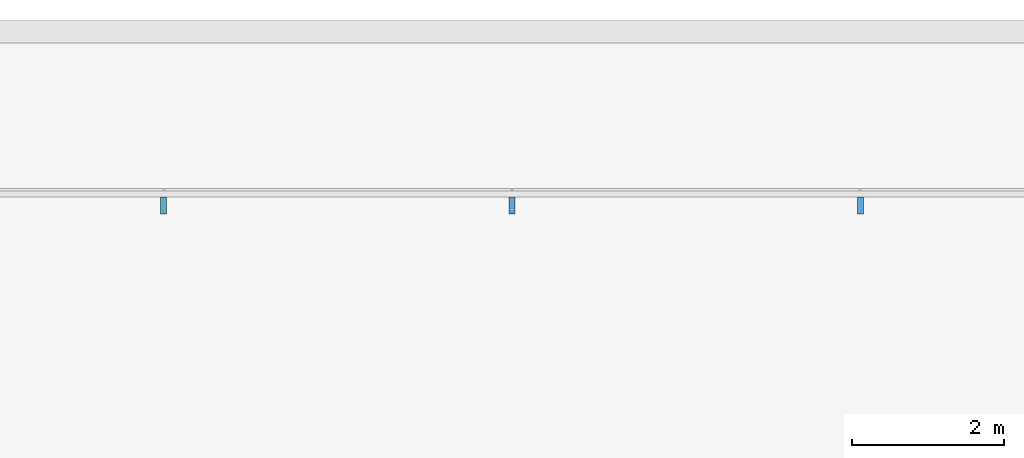
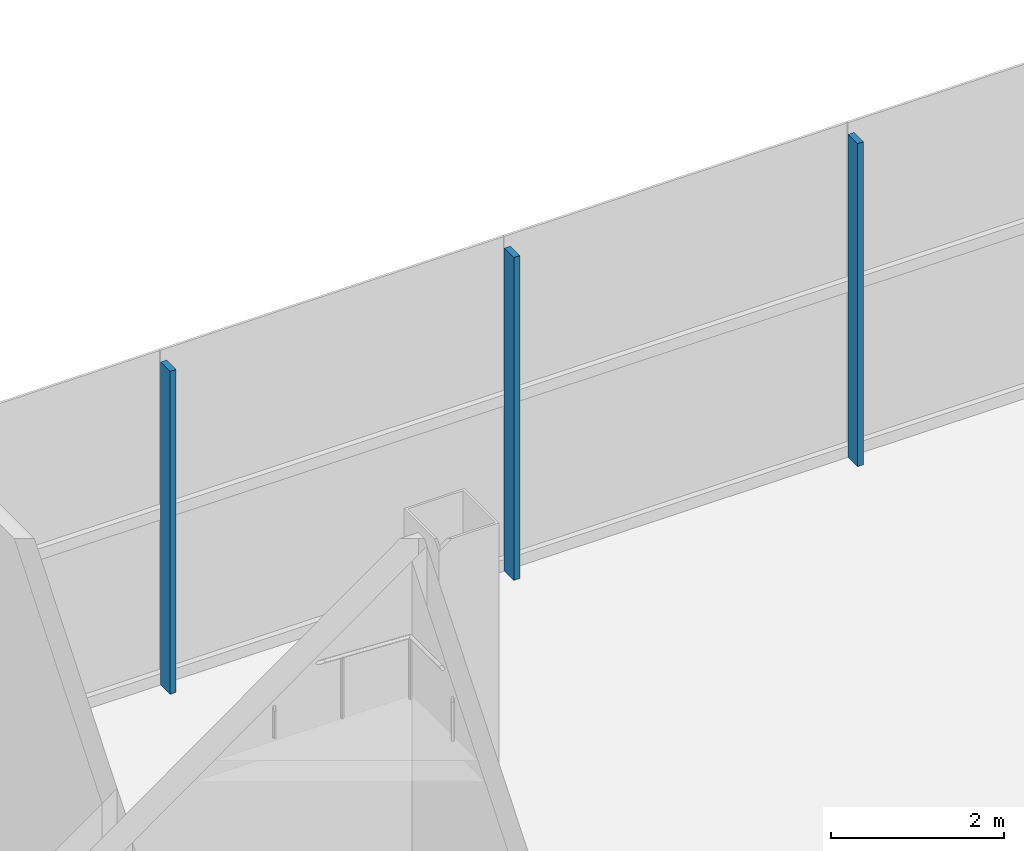
# One storey, part 11 of 33: 3 members, 1 element without a shape of its own.
"""IFC4 building model written with IfcOpenShell, lengths in metres."""

from ifc_helpers import new_model, si_unit, direction, frame, origin, origin_2d, place, context, subcontext, project, spatial, rectangle, extrude, material, layer, layer_set, material_profile, profile_set, type_object, element, aggregate, save


model = new_model("IFC4")

# Units and contexts
model_context = context("Model", 3, precision=1e-05, world=origin(), true_north=direction((0.0, 1.0)))
body_context = subcontext(model_context, "Body", "Model", "MODEL_VIEW")
ifc_project = project(units=[si_unit("LENGTHUNIT", "METRE"), si_unit("AREAUNIT", "SQUARE_METRE"), si_unit("VOLUMEUNIT", "CUBIC_METRE"), si_unit("PLANEANGLEUNIT", "RADIAN"), si_unit("MASSUNIT", "GRAM", prefix="KILO")], contexts=[model_context])

# Site, building, storey
site_placement = place(None, origin())
site = spatial("IfcSite", under=ifc_project, at=site_placement, CompositionType="ELEMENT")
building_placement = place(site_placement, origin())
building = spatial("IfcBuilding", under=site, at=building_placement, Name="Shamsa Quay Exchange Towers", CompositionType="ELEMENT")
storey_placement = place(building_placement, frame((0.0, 0.0, 18.5)))
storey = spatial("IfcBuildingStorey", under=building, at=storey_placement, Name="L03", CompositionType="ELEMENT", Elevation=18.5)

# Curtain wall, members
ifc_material = material(Name="Aluminium EN AW-6063 T6, black anodised", Category="aluminium")
ifc_layer = layer(ifc_material, 0.33203125)
ifc_layer_set = layer_set([ifc_layer], Name="CW-3 PODIUM SHOPFRONT GLAZING")
curtain_wall_type = type_object("IfcCurtainWallType", Name="CW-3 PODIUM SHOPFRONT GLAZING", PredefinedType="NOTDEFINED", material=ifc_layer_set)
curtain_wall_placement = place(storey_placement, origin())
curtain_wall = element("IfcCurtainWall", 1, at=curtain_wall_placement, inside=storey, type_object=curtain_wall_type, Name="CW3 PODIUM-L03-F01", PredefinedType="NOTDEFINED")
ifc_material_profile = material_profile(ifc_material, rectangle(XDim=0.219970703125, YDim=0.080078125, at=origin_2d()), Name="MU80x220")
ifc_profile_set = profile_set([ifc_material_profile], Name="Aluminium EN AW-6063 T6, black anodised")
member_type = type_object("IfcMemberType", Name="CW3 MULLION 80x220", PredefinedType="MULLION", material=ifc_profile_set)
member_1_placement = place(storey_placement, frame((-1.125, 29.06005859375, 0.0), z_axis=(0.0, 0.0, 1.0), x_axis=(0.0, -1.0, 0.0)))
member_1 = element("IfcMember", 2, at=member_1_placement, type_object=member_type, Name="CW3 mullion", PredefinedType="MULLION", context=body_context, shape_type="SweptSolid", body=[
    extrude(rectangle(XDim=0.219970703125, YDim=0.080078125, at=origin_2d()), origin(), (0.0, 0.0, 1.0), 4.550048828125),
])
member_2_placement = place(storey_placement, frame((-5.705322265625, 29.06005859375, 0.0), z_axis=(0.0, 0.0, 1.0), x_axis=(0.0, -1.0, 0.0)))
member_2 = element("IfcMember", 3, at=member_2_placement, type_object=member_type, Name="CW3 mullion", PredefinedType="MULLION", context=body_context, shape_type="SweptSolid", body=[
    extrude(rectangle(XDim=0.219970703125, YDim=0.080078125, at=origin_2d()), origin(), (0.0, 0.0, 1.0), 4.550048828125),
])
member_3_placement = place(storey_placement, frame((-10.28564453125, 29.06005859375, 0.0), z_axis=(0.0, 0.0, 1.0), x_axis=(0.0, -1.0, 0.0)))
member_3 = element("IfcMember", 4, at=member_3_placement, type_object=member_type, Name="CW3 mullion", PredefinedType="MULLION", context=body_context, shape_type="SweptSolid", body=[
    extrude(rectangle(XDim=0.219970703125, YDim=0.080078125, at=origin_2d()), origin(), (0.0, 0.0, 1.0), 4.550048828125),
])
aggregate(curtain_wall, [member_1, member_2, member_3])

save(model, "model.ifc")
